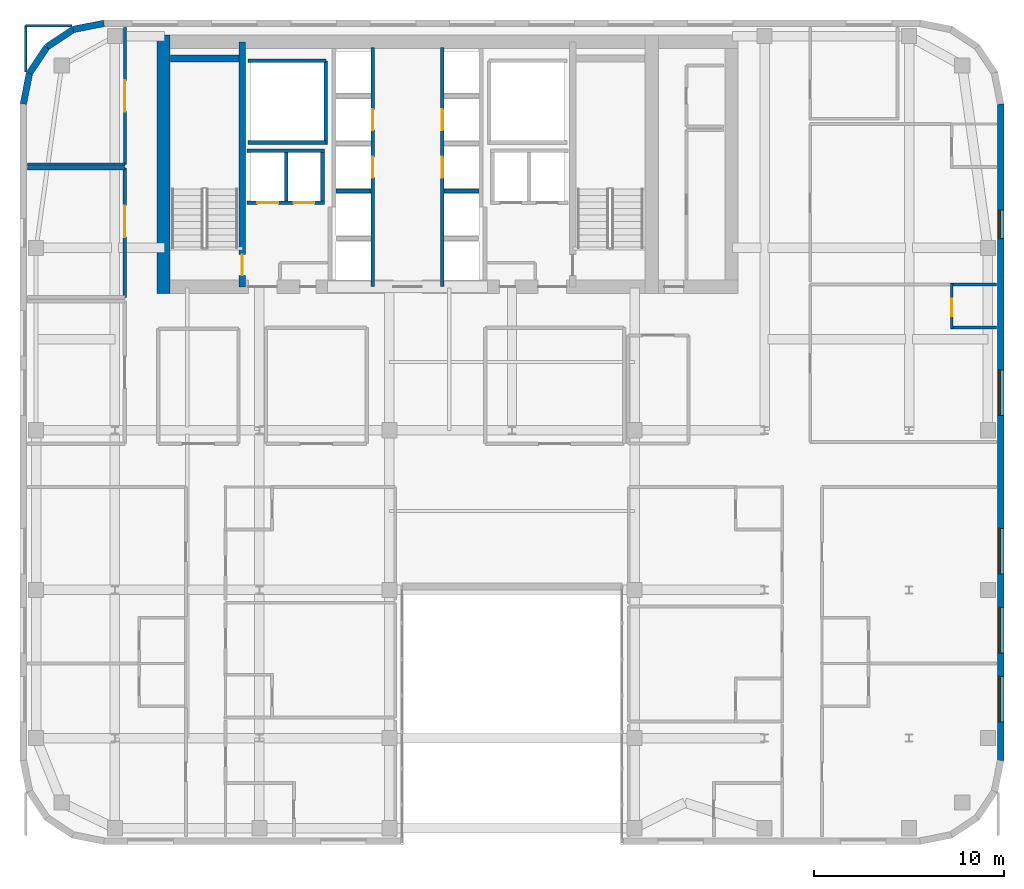
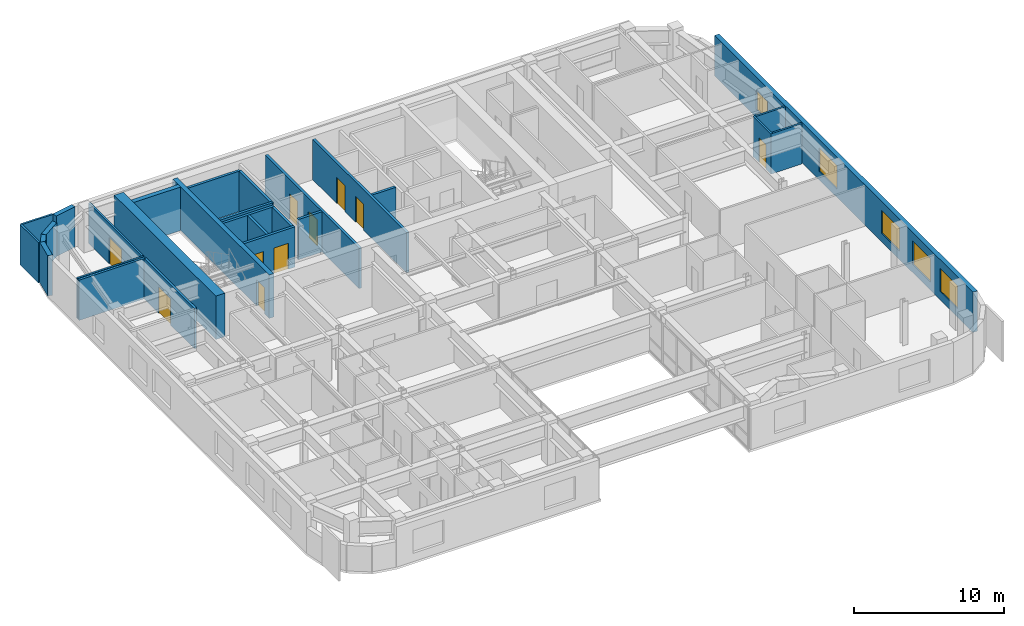
# One storey, part 10 of 13: 28 walls, 10 doors, 5 windows, 15 openings.
"""IFC4 building model written with IfcOpenShell, lengths in metres."""

from ifc_helpers import new_model, si_unit, direction, frame, frame_2d, origin, place, context, subcontext, project, spatial, rectangle, extrude, source, transform, mapped, material, layer, layer_set, type_object, type_shapes, element, fill, save


model = new_model("IFC4")

# Units and contexts
model_context = context("Model", 3, precision=1e-05, world=origin(), true_north=direction((0.0, 1.0)))
body_context = subcontext(model_context, "Body", "Model", "MODEL_VIEW")
ifc_project = project(units=[si_unit("LENGTHUNIT", "METRE"), si_unit("AREAUNIT", "SQUARE_METRE"), si_unit("VOLUMEUNIT", "CUBIC_METRE"), si_unit("PLANEANGLEUNIT", "RADIAN"), si_unit("MASSUNIT", "GRAM", prefix="KILO")], contexts=[model_context])

# Site, building, storey
site_placement = place(None, origin())
site = spatial("IfcSite", under=ifc_project, at=site_placement, CompositionType="ELEMENT")
building_placement = place(site_placement, origin())
building = spatial("IfcBuilding", under=site, at=building_placement, Name="Tolvann Quenvar Hotel", CompositionType="ELEMENT")
storey_placement = place(building_placement, frame((0.0, 0.0, 201.75)))
storey = spatial("IfcBuildingStorey", under=building, at=storey_placement, Name="L53", CompositionType="ELEMENT", Elevation=201.75)

# Wall
ifc_material_1 = material(Name="Concrete S65 (65 MPa)", Category="concrete")
ifc_layer_1 = layer(ifc_material_1, 0.699951171875)
ifc_layer_set_1 = layer_set([ifc_layer_1], Name="Concrete S65 (65 MPa)")
wall_type_1 = type_object("IfcWallType", Name="WALL_CORE_700", PredefinedType="SHEAR", material=ifc_layer_set_1)
wall_1_placement = place(storey_placement, frame((10.14990234375, 31.60009765625, 0.0), z_axis=(0.0, 0.0, 1.0), x_axis=(0.0, 1.0, 0.0)))
element("IfcWall", 1, at=wall_1_placement, inside=storey, type_object=wall_type_1, Name="Rear Core W Shear Wall (L53)", PredefinedType="SHEAR", context=body_context, shape_type="SweptSolid", body=[
    extrude(rectangle(XDim=13.599853515625, YDim=0.699951171875, at=frame_2d((6.7998046875, 0.0))), origin(), (0.0, 0.0, 1.0), 3.550048828125),
])

# Wall, opening, door
ifc_layer_2 = layer(ifc_material_1, 0.35009765625)
ifc_layer_set_2 = layer_set([ifc_layer_2], Name="Concrete S65 (65 MPa)")
wall_type_2 = type_object("IfcWallType", Name="WALL_CORE_INT_350", PredefinedType="SHEAR", material=ifc_layer_set_2)
wall_2_placement = place(storey_placement, frame((14.300048828125, 31.949951171875, 0.0), z_axis=(0.0, 0.0, 1.0), x_axis=(0.0, 1.0, 0.0)))
wall_2 = element("IfcWall", 2, at=wall_2_placement, inside=storey, type_object=wall_type_2, Name="Core Internal Web Shear Wall WEB-W (L53)", PredefinedType="SHEAR", context=body_context, shape_type="SweptSolid", body=[
    extrude(rectangle(XDim=12.900146484375, YDim=0.35009765625, at=frame_2d((6.4501953125, 0.0))), origin(), (0.0, 0.0, 1.0), 3.550048828125),
])
opening_1_placement = place(wall_2_placement, frame((0.60009765625, 0.0, 0.0)))
opening_1 = element("IfcOpeningElement", 3, at=opening_1_placement, cuts=wall_2, Name="Opening FD-120", PredefinedType="OPENING", context=body_context, shape_type="SweptSolid", body=[
    extrude(rectangle(XDim=1.10009765625, YDim=2.1201171875, at=frame_2d((0.550048828125, 1.06005859375))), frame((0.0, 0.18505859375, 0.0), z_axis=(0.0, -1.0, 0.0), x_axis=(1.0, 0.0, 0.0)), (0.0, 0.0, 1.0), 0.3701171875),
])
ifc_material_2 = material(Name="Pressed galvanised steel fire-rated door set", Category="steel")
door_type_1 = type_object("IfcDoorType", Name="DOOR_FIRE_STAIR_1100", OperationType="NOTDEFINED", PredefinedType="DOOR", material=ifc_material_2)
shared_shape_1 = source(origin(), body_context, "Body", "SweptSolid", [
    extrude(rectangle(XDim=1.10009765625, YDim=2.1201171875, at=frame_2d((0.550048828125, 1.06005859375))), frame((0.0, 0.02490234375, 0.0), z_axis=(0.0, -1.0, 0.0), x_axis=(1.0, 0.0, 0.0)), (0.0, 0.0, 1.0), 0.050048828125),
])
type_shapes(door_type_1, [shared_shape_1])
door_1_placement = place(opening_1_placement, origin())
door_1 = element("IfcDoor", 4, at=door_1_placement, inside=storey, type_object=door_type_1, Name="Exit Stair ST-C1 Fire Door (L53)", OperationType="SINGLE_SWING_RIGHT", OverallHeight=2.1201171875, OverallWidth=1.10009765625, PredefinedType="DOOR", context=body_context, shape_type="MappedRepresentation", body=[
    mapped(shared_shape_1, transform((0.0, 0.0, 0.0), x_axis=(1.0, 0.0, 0.0), y_axis=(0.0, 1.0, 0.0), z_axis=(0.0, 0.0, 1.0), scale=1.0)),
])
fill(opening_1, door_1)

# Wall
wall_3_placement = place(storey_placement, frame((10.52001953125, 43.97509765625, 0.0), z_axis=(0.0, 0.0, 1.0), x_axis=(1.0, 0.0, 0.0)))
element("IfcWall", 5, at=wall_3_placement, inside=storey, type_object=wall_type_2, Name="Core Stair North Closing Shear Wall STC1-N (L53)", PredefinedType="SHEAR", context=body_context, shape_type="SweptSolid", body=[
    extrude(rectangle(XDim=3.60009765625, YDim=0.35009765625, at=frame_2d((1.800048828125, 0.0))), origin(), (0.0, 0.0, 1.0), 3.550048828125),
])

# Wall, openings, windows
ifc_material_3 = material(Name="Kiln-fired red and buff architectural clay brickwork and terracotta masonry", Category="masonry")
ifc_layer_3 = layer(ifc_material_3, 0.35009765625)
ifc_layer_set_3 = layer_set([ifc_layer_3], Name="Kiln-fired red and buff architectural clay brickwork and terracotta masonry")
wall_type_3 = type_object("IfcWallType", Name="WALL_EXT_BRICK_350", PredefinedType="SOLIDWALL", material=ifc_layer_set_3)
wall_4_placement = place(storey_placement, frame((54.22509765625, 7.01708984375, 0.0), z_axis=(0.0, 0.0, 1.0), x_axis=(0.0, 1.0, 0.0)))
wall_4 = element("IfcWall", 6, at=wall_4_placement, inside=storey, type_object=wall_type_3, Name="Exterior Chicago Brick Wall L53-E13", PredefinedType="SOLIDWALL", context=body_context, shape_type="SweptSolid", body=[
    extrude(rectangle(XDim=34.565673828125, YDim=0.35009765625, at=frame_2d((17.28271484375, 0.0))), origin(), (0.0, 0.0, 1.0), 3.2900390625),
])
opening_2_placement = place(wall_4_placement, frame((2.034912109375, 0.0, 0.679931640625)))
opening_2 = element("IfcOpeningElement", 7, at=opening_2_placement, cuts=wall_4, Name="Opening W-01", PredefinedType="OPENING", context=body_context, shape_type="SweptSolid", body=[
    extrude(rectangle(XDim=2.39990234375, YDim=1.89990234375, at=frame_2d((1.199951171875, 0.949951171875))), frame((0.0, 0.18505859375, 0.0), z_axis=(0.0, -1.0, 0.0), x_axis=(1.0, 0.0, 0.0)), (0.0, 0.0, 1.0), 0.3701171875),
])
opening_3_placement = place(wall_4_placement, frame((5.656005859375, 0.0, 0.679931640625)))
opening_3 = element("IfcOpeningElement", 8, at=opening_3_placement, cuts=wall_4, Name="Opening W-01", PredefinedType="OPENING", context=body_context, shape_type="SweptSolid", body=[
    extrude(rectangle(XDim=2.39990234375, YDim=1.89990234375, at=frame_2d((1.199951171875, 0.949951171875))), frame((0.0, 0.18505859375, 0.0), z_axis=(0.0, -1.0, 0.0), x_axis=(1.0, 0.0, 0.0)), (0.0, 0.0, 1.0), 0.3701171875),
])
opening_4_placement = place(wall_4_placement, frame((9.826904296875, 0.0, 0.679931640625)))
opening_4 = element("IfcOpeningElement", 9, at=opening_4_placement, cuts=wall_4, Name="Opening W-01", PredefinedType="OPENING", context=body_context, shape_type="SweptSolid", body=[
    extrude(rectangle(XDim=2.39990234375, YDim=1.89990234375, at=frame_2d((1.199951171875, 0.949951171875))), frame((0.0, 0.18505859375, 0.0), z_axis=(0.0, -1.0, 0.0), x_axis=(1.0, 0.0, 0.0)), (0.0, 0.0, 1.0), 0.3701171875),
])
opening_5_placement = place(wall_4_placement, frame((18.16796875, 0.0, 0.679931640625)))
opening_5 = element("IfcOpeningElement", 10, at=opening_5_placement, cuts=wall_4, Name="Opening W-01", PredefinedType="OPENING", context=body_context, shape_type="SweptSolid", body=[
    extrude(rectangle(XDim=2.39990234375, YDim=1.89990234375, at=frame_2d((1.199951171875, 0.949951171875))), frame((0.0, 0.18505859375, 0.0), z_axis=(0.0, -1.0, 0.0), x_axis=(1.0, 0.0, 0.0)), (0.0, 0.0, 1.0), 0.3701171875),
])
opening_6_placement = place(wall_4_placement, frame((27.472900390625, 0.0, 0.6201171875)))
opening_6 = element("IfcOpeningElement", 11, at=opening_6_placement, cuts=wall_4, Name="Opening W-08", PredefinedType="OPENING", context=body_context, shape_type="SweptSolid", body=[
    extrude(rectangle(XDim=1.5, YDim=1.550048828125, at=frame_2d((0.75, 0.77490234375))), frame((0.0, 0.18505859375, 0.0), z_axis=(0.0, -1.0, 0.0), x_axis=(1.0, 0.0, 0.0)), (0.0, 0.0, 1.0), 0.3701171875),
])
ifc_material_4 = material(Name="Thermally broken bronze-anodised aluminium frame with double low-E glazing", Category="aluminium")
window_type_1 = type_object("IfcWindowType", Name="WIN_COR_1500x2050", PartitioningType="SINGLE_PANEL", PredefinedType="WINDOW", material=ifc_material_4)
shared_shape_2 = source(origin(), body_context, "Body", "SweptSolid", [
    extrude(rectangle(XDim=1.5, YDim=1.550048828125, at=frame_2d((0.75, 0.77490234375))), frame((0.0, 0.090087890625, 0.0), z_axis=(0.0, -1.0, 0.0), x_axis=(1.0, 0.0, 0.0)), (0.0, 0.0, 1.0), 0.06005859375),
])
type_shapes(window_type_1, [shared_shape_2])
window_1_placement = place(opening_6_placement, origin())
window_1 = element("IfcWindow", 12, at=window_1_placement, inside=storey, type_object=window_type_1, Name="Chicago Window W-08 (EW-L53-E13-WD05)", OverallHeight=1.550048828125, OverallWidth=1.5, PartitioningType="SINGLE_PANEL", PredefinedType="WINDOW", context=body_context, shape_type="MappedRepresentation", body=[
    mapped(shared_shape_2, transform((0.0, 0.0, 0.0), x_axis=(1.0, 0.0, 0.0), y_axis=(0.0, 1.0, 0.0), z_axis=(0.0, 0.0, 1.0), scale=1.0)),
])
fill(opening_6, window_1)
window_type_2 = type_object("IfcWindowType", Name="WIN_CHI_2400x2050", PartitioningType="TRIPLE_PANEL_HORIZONTAL", PredefinedType="WINDOW", material=ifc_material_4)
shared_shape_3 = source(origin(), body_context, "Body", "SweptSolid", [
    extrude(rectangle(XDim=2.39990234375, YDim=1.89990234375, at=frame_2d((1.199951171875, 0.949951171875))), frame((0.0, 0.090087890625, 0.0), z_axis=(0.0, -1.0, 0.0), x_axis=(1.0, 0.0, 0.0)), (0.0, 0.0, 1.0), 0.06005859375),
])
type_shapes(window_type_2, [shared_shape_3])
window_2_placement = place(opening_2_placement, origin())
window_2 = element("IfcWindow", 13, at=window_2_placement, inside=storey, type_object=window_type_2, Name="Chicago Window W-01 (EW-L53-E13-W01)", OverallHeight=1.89990234375, OverallWidth=2.39990234375, PartitioningType="TRIPLE_PANEL_HORIZONTAL", PredefinedType="WINDOW", context=body_context, shape_type="MappedRepresentation", body=[
    mapped(shared_shape_3, transform((0.0, 0.0, 0.0), x_axis=(1.0, 0.0, 0.0), y_axis=(0.0, 1.0, 0.0), z_axis=(0.0, 0.0, 1.0), scale=1.0)),
])
fill(opening_2, window_2)
window_3_placement = place(opening_3_placement, origin())
window_3 = element("IfcWindow", 14, at=window_3_placement, inside=storey, type_object=window_type_2, Name="Chicago Window W-01 (EW-L53-E13-W02)", OverallHeight=1.89990234375, OverallWidth=2.39990234375, PartitioningType="TRIPLE_PANEL_HORIZONTAL", PredefinedType="WINDOW", context=body_context, shape_type="MappedRepresentation", body=[
    mapped(shared_shape_3, transform((0.0, 0.0, 0.0), x_axis=(1.0, 0.0, 0.0), y_axis=(0.0, 1.0, 0.0), z_axis=(0.0, 0.0, 1.0), scale=1.0)),
])
fill(opening_3, window_3)
window_4_placement = place(opening_4_placement, origin())
window_4 = element("IfcWindow", 15, at=window_4_placement, inside=storey, type_object=window_type_2, Name="Chicago Window W-01 (EW-L53-E13-W03)", OverallHeight=1.89990234375, OverallWidth=2.39990234375, PartitioningType="TRIPLE_PANEL_HORIZONTAL", PredefinedType="WINDOW", context=body_context, shape_type="MappedRepresentation", body=[
    mapped(shared_shape_3, transform((0.0, 0.0, 0.0), x_axis=(1.0, 0.0, 0.0), y_axis=(0.0, 1.0, 0.0), z_axis=(0.0, 0.0, 1.0), scale=1.0)),
])
fill(opening_4, window_4)
window_5_placement = place(opening_5_placement, origin())
window_5 = element("IfcWindow", 16, at=window_5_placement, inside=storey, type_object=window_type_2, Name="Chicago Window W-01 (EW-L53-E13-W04)", OverallHeight=1.89990234375, OverallWidth=2.39990234375, PartitioningType="TRIPLE_PANEL_HORIZONTAL", PredefinedType="WINDOW", context=body_context, shape_type="MappedRepresentation", body=[
    mapped(shared_shape_3, transform((0.0, 0.0, 0.0), x_axis=(1.0, 0.0, 0.0), y_axis=(0.0, 1.0, 0.0), z_axis=(0.0, 0.0, 1.0), scale=1.0)),
])
fill(opening_5, window_5)

# Walls
wall_5_placement = place(storey_placement, frame((7.01708984375, 45.824951171875, 0.0), z_axis=(0.0, 0.0, 1.0), x_axis=(-0.980788844421, -0.195072403631, 0.0)))
element("IfcWall", 17, at=wall_5_placement, inside=storey, type_object=wall_type_3, Name="Exterior Chicago Brick Wall L53-E19", PredefinedType="SOLIDWALL", context=body_context, shape_type="SweptSolid", body=[
    extrude(rectangle(XDim=1.66455078125, YDim=0.35009765625, at=frame_2d((0.832275390625, 0.0))), origin(), (0.0, 0.0, 1.0), 3.2900390625),
])
for number, where, z_axis, x_axis, name in (
    (18, (5.384521484375, 45.500244140625, 0.0), (0.0, 0.0, 1.0), (-0.831502623162, -0.555520825599, 0.0), "Exterior Chicago Brick Wall L53-E20"),
    (19, (4.014892578125, 44.585205078125, 0.0), (0.0, 0.0, 1.0), (-0.555623290322, -0.831434158098, 0.0), "Exterior Chicago Brick Wall L53-E21"),
):
    element("IfcWall", number, at=place(storey_placement, frame(where, z_axis=z_axis, x_axis=x_axis)), inside=storey, type_object=wall_type_3, Name=name, PredefinedType="SOLIDWALL", context=body_context, shape_type="SweptSolid", body=[
        extrude(rectangle(XDim=1.647216796875, YDim=0.35009765625, at=frame_2d((0.82373046875, 0.0))), origin(), (0.0, 0.0, 1.0), 2.751953125),
    ])
wall_6_placement = place(storey_placement, frame((3.099609375, 43.215576171875, 0.0), z_axis=(0.0, 0.0, 1.0), x_axis=(-0.195044345786, -0.980794424524, 0.0)))
element("IfcWall", 20, at=wall_6_placement, inside=storey, type_object=wall_type_3, Name="Exterior Chicago Brick Wall L53-E22", PredefinedType="SOLIDWALL", context=body_context, shape_type="SweptSolid", body=[
    extrude(rectangle(XDim=1.664794921875, YDim=0.35009765625, at=frame_2d((0.83251953125, 0.0))), origin(), (0.0, 0.0, 1.0), 3.2900390625),
])
ifc_material_5 = material(Name="Acoustic twin-stud fire-rated gypsum plasterboard partition")
ifc_layer_4 = layer(ifc_material_5, 0.179931640625)
ifc_layer_set_4 = layer_set([ifc_layer_4], Name="Acoustic twin-stud fire-rated gypsum plasterboard partition")
wall_type_4 = type_object("IfcWallType", Name="WALL_PART_ACOUSTIC_180", PredefinedType="PARTITIONING", material=ifc_layer_set_4)
wall_7_placement = place(storey_placement, frame((3.0048828125, 38.199951171875, 0.0), z_axis=(0.0, 0.0, 1.0), x_axis=(1.0, 0.0, 0.0)))
element("IfcWall", 21, at=wall_7_placement, inside=storey, type_object=wall_type_4, Name="Interior Partition PT-SPC-L53-MTG-N", PredefinedType="PARTITIONING", context=body_context, shape_type="SweptSolid", body=[
    extrude(rectangle(XDim=5.115234375, YDim=0.179931640625, at=frame_2d((2.5576171875, 0.0))), origin(), (0.0, 0.0, 1.0), 3.2900390625),
])

# Wall, opening, door
wall_8_placement = place(storey_placement, frame((8.1201171875, 31.39990234375, 0.0), z_axis=(0.0, 0.0, 1.0), x_axis=(0.0, 1.0, 0.0)))
wall_8 = element("IfcWall", 22, at=wall_8_placement, inside=storey, type_object=wall_type_4, Name="Interior Partition PT-SPC-L53-MTG-E", PredefinedType="PARTITIONING", context=body_context, shape_type="SweptSolid", body=[
    extrude(rectangle(XDim=6.800048828125, YDim=0.179931640625, at=frame_2d((3.39990234375, 0.0))), origin(), (0.0, 0.0, 1.0), 3.2900390625),
])
opening_7_placement = place(wall_8_placement, frame((3.175048828125, 0.0, 0.0)))
opening_7 = element("IfcOpeningElement", 23, at=opening_7_placement, cuts=wall_8, Name="Opening AD-01", PredefinedType="OPENING", context=body_context, shape_type="SweptSolid", body=[
    extrude(rectangle(XDim=1.64990234375, YDim=2.14990234375, at=frame_2d((0.824951171875, 1.074951171875))), frame((0.0, 0.10009765625, 0.0), z_axis=(0.0, -1.0, 0.0), x_axis=(1.0, 0.0, 0.0)), (0.0, 0.0, 1.0), 0.199951171875),
])
ifc_material_6 = material(Name="Solid-core American oak acoustic fire door leaf in steel frame", Category="steel")
door_type_2 = type_object("IfcDoorType", Name="DOOR_SALON_1650", OperationType="NOTDEFINED", PredefinedType="DOOR", material=ifc_material_6)
shared_shape_4 = source(origin(), body_context, "Body", "SweptSolid", [
    extrude(rectangle(XDim=1.64990234375, YDim=2.14990234375, at=frame_2d((0.824951171875, 1.074951171875))), frame((0.0, 0.02490234375, 0.0), z_axis=(0.0, -1.0, 0.0), x_axis=(1.0, 0.0, 0.0)), (0.0, 0.0, 1.0), 0.050048828125),
])
type_shapes(door_type_2, [shared_shape_4])
door_2_placement = place(opening_7_placement, origin())
door_2 = element("IfcDoor", 24, at=door_2_placement, inside=storey, type_object=door_type_2, Name="Interior Door DOOR-SPC-L53-MTG", OperationType="DOUBLE_DOOR_SINGLE_SWING", OverallHeight=2.14990234375, OverallWidth=1.64990234375, PredefinedType="DOOR", context=body_context, shape_type="MappedRepresentation", body=[
    mapped(shared_shape_4, transform((0.0, 0.0, 0.0), x_axis=(1.0, 0.0, 0.0), y_axis=(0.0, 1.0, 0.0), z_axis=(0.0, 0.0, 1.0), scale=1.0)),
])
fill(opening_7, door_2)

ifc_layer_5 = layer(ifc_material_5, 0.14990234375)
ifc_layer_set_5 = layer_set([ifc_layer_5], Name="Acoustic twin-stud fire-rated gypsum plasterboard partition")
wall_type_5 = type_object("IfcWallType", Name="WALL_PART_SUITE_150", PredefinedType="PARTITIONING", material=ifc_layer_set_5)
wall_9_placement = place(storey_placement, frame((51.64990234375, 29.75, 0.0), z_axis=(0.0, 0.0, 1.0), x_axis=(0.0, 1.0, 0.0)))
wall_9 = element("IfcWall", 25, at=wall_9_placement, inside=storey, type_object=wall_type_5, Name="Interior Partition PT-SPC-L53-ENS-NE01-ENT", PredefinedType="PARTITIONING", context=body_context, shape_type="SweptSolid", body=[
    extrude(rectangle(XDim=2.389892578125, YDim=0.14990234375, at=frame_2d((1.19482421875, 0.0))), origin(), (0.0, 0.0, 1.0), 3.2900390625),
])
opening_8_placement = place(wall_9_placement, frame((0.6650390625, 0.0, 0.0)))
opening_8 = element("IfcOpeningElement", 26, at=opening_8_placement, cuts=wall_9, Name="Opening WD-01", PredefinedType="OPENING", context=body_context, shape_type="SweptSolid", body=[
    extrude(rectangle(XDim=0.919921875, YDim=2.010009765625, at=frame_2d((0.4599609375, 1.0048828125))), frame((0.0, 0.0849609375, 0.0), z_axis=(0.0, -1.0, 0.0), x_axis=(1.0, 0.0, 0.0)), (0.0, 0.0, 1.0), 0.169921875),
])
door_type_3 = type_object("IfcDoorType", Name="DOOR_WC_920", OperationType="NOTDEFINED", PredefinedType="DOOR", material=ifc_material_6)
shared_shape_5 = source(origin(), body_context, "Body", "SweptSolid", [
    extrude(rectangle(XDim=0.919921875, YDim=2.010009765625, at=frame_2d((0.4599609375, 1.0048828125))), frame((0.0, 0.02490234375, 0.0), z_axis=(0.0, -1.0, 0.0), x_axis=(1.0, 0.0, 0.0)), (0.0, 0.0, 1.0), 0.050048828125),
])
type_shapes(door_type_3, [shared_shape_5])
door_3_placement = place(opening_8_placement, origin())
door_3 = element("IfcDoor", 27, at=door_3_placement, inside=storey, type_object=door_type_3, Name="Interior Door DOOR-SPC-L53-ENS-NE01", OperationType="SINGLE_SWING_LEFT", OverallHeight=2.010009765625, OverallWidth=0.919921875, PredefinedType="DOOR", context=body_context, shape_type="MappedRepresentation", body=[
    mapped(shared_shape_5, transform((0.0, 0.0, 0.0), x_axis=(1.0, 0.0, 0.0), y_axis=(0.0, 1.0, 0.0), z_axis=(0.0, 0.0, 1.0), scale=1.0)),
])
fill(opening_8, door_3)

# Walls
for number, where, z_axis, x_axis, name in (
    (28, (51.580078125, 29.820068359375, 0.0), (0.0, 0.0, 1.0), (1.0, 0.0, 0.0), "Interior Partition PT-SPC-L53-ENS-NE01-S"),
    (29, (51.580078125, 32.070068359375, 0.0), (0.0, 0.0, 1.0), (1.0, 0.0, 0.0), "Interior Partition PT-SPC-L53-ENS-NE01-N"),
):
    element("IfcWall", number, at=place(storey_placement, frame(where, z_axis=z_axis, x_axis=x_axis)), inside=storey, type_object=wall_type_5, Name=name, PredefinedType="PARTITIONING", context=body_context, shape_type="SweptSolid", body=[
        extrude(rectangle(XDim=2.4150390625, YDim=0.14990234375, at=frame_2d((1.20751953125, 0.0))), origin(), (0.0, 0.0, 1.0), 3.2900390625),
    ])
wall_10_placement = place(storey_placement, frame((3.0048828125, 38.39990234375, 0.0), z_axis=(0.0, 0.0, 1.0), x_axis=(1.0, 0.0, 0.0)))
element("IfcWall", 30, at=wall_10_placement, inside=storey, type_object=wall_type_5, Name="Interior Partition PT-SPC-L53-TEA-S", PredefinedType="PARTITIONING", context=body_context, shape_type="SweptSolid", body=[
    extrude(rectangle(XDim=5.115234375, YDim=0.14990234375, at=frame_2d((2.5576171875, 0.0))), origin(), (0.0, 0.0, 1.0), 3.2900390625),
])
for number, where, z_axis, x_axis, name in (
    (31, (2.89990234375, 45.699951171875, 0.0), (0.0, 0.0, 1.0), (1.0, 0.0, 0.0), "Interior Partition PT-SPC-L53-TEA-N"),
    (32, (2.89990234375, 43.2548828125, 0.0), (0.0, 0.0, 1.0), (0.0, 1.0, 0.0), "Interior Partition PT-SPC-L53-TEA-W"),
):
    element("IfcWall", number, at=place(storey_placement, frame(where, z_axis=z_axis, x_axis=x_axis)), inside=storey, type_object=wall_type_5, Name=name, PredefinedType="PARTITIONING", context=body_context, shape_type="SweptSolid", body=[
        extrude(rectangle(XDim=2.445068359375, YDim=0.14990234375, at=frame_2d((1.22265625, 0.0))), origin(), (0.0, 0.0, 1.0), 3.2900390625),
    ])

# Wall, opening, door
wall_11_placement = place(storey_placement, frame((8.1201171875, 38.39990234375, 0.0), z_axis=(0.0, 0.0, 1.0), x_axis=(0.0, 1.0, 0.0)))
wall_11 = element("IfcWall", 33, at=wall_11_placement, inside=storey, type_object=wall_type_5, Name="Interior Partition PT-SPC-L53-TEA-E", PredefinedType="PARTITIONING", context=body_context, shape_type="SweptSolid", body=[
    extrude(rectangle(XDim=7.195068359375, YDim=0.14990234375, at=frame_2d((3.59765625, 0.0))), origin(), (0.0, 0.0, 1.0), 3.2900390625),
])
opening_9_placement = place(wall_11_placement, frame((2.7724609375, 0.0, 0.0)))
opening_9 = element("IfcOpeningElement", 34, at=opening_9_placement, cuts=wall_11, Name="Opening AD-01", PredefinedType="OPENING", context=body_context, shape_type="SweptSolid", body=[
    extrude(rectangle(XDim=1.64990234375, YDim=2.14990234375, at=frame_2d((0.824951171875, 1.074951171875))), frame((0.0, 0.0849609375, 0.0), z_axis=(0.0, -1.0, 0.0), x_axis=(1.0, 0.0, 0.0)), (0.0, 0.0, 1.0), 0.169921875),
])
door_4_placement = place(opening_9_placement, origin())
door_4 = element("IfcDoor", 35, at=door_4_placement, inside=storey, type_object=door_type_2, Name="Interior Door DOOR-SPC-L53-TEA", OperationType="DOUBLE_DOOR_SINGLE_SWING", OverallHeight=2.14990234375, OverallWidth=1.64990234375, PredefinedType="DOOR", context=body_context, shape_type="MappedRepresentation", body=[
    mapped(shared_shape_4, transform((0.0, 0.0, 0.0), x_axis=(1.0, 0.0, 0.0), y_axis=(0.0, 1.0, 0.0), z_axis=(0.0, 0.0, 1.0), scale=1.0)),
])
fill(opening_9, door_4)

# Walls
ifc_material_7 = material(Name="Concrete N40 (40 MPa)", Category="concrete")
ifc_layer_6 = layer(ifc_material_7, 0.199951171875)
ifc_layer_set_6 = layer_set([ifc_layer_6], Name="Concrete N40 (40 MPa)")
wall_type_6 = type_object("IfcWallType", Name="WALL_SHAFT_200", PredefinedType="SOLIDWALL", material=ifc_layer_set_6)
wall_12_placement = place(storey_placement, frame((18.699951171875, 39.449951171875, 0.0), z_axis=(0.0, 0.0, 1.0), x_axis=(0.0, 1.0, 0.0)))
element("IfcWall", 36, at=wall_12_placement, inside=storey, type_object=wall_type_6, Name="Service Riser W Shaft Wall IN (L53)", PredefinedType="SOLIDWALL", context=body_context, shape_type="SweptSolid", body=[
    extrude(rectangle(XDim=4.400146484375, YDim=0.199951171875, at=frame_2d((2.2001953125, 0.0))), origin(), (0.0, 0.0, 1.0), 3.2900390625),
])
for number, where, z_axis, x_axis, name in (
    (37, (14.60009765625, 39.550048828125, 0.0), (0.0, 0.0, 1.0), (1.0, 0.0, 0.0), "Service Riser W Shaft Wall S (L53)"),
    (38, (14.60009765625, 43.85009765625, 0.0), (0.0, 0.0, 1.0), (1.0, 0.0, 0.0), "Service Riser W Shaft Wall N (L53)"),
):
    element("IfcWall", number, at=place(storey_placement, frame(where, z_axis=z_axis, x_axis=x_axis)), inside=storey, type_object=wall_type_6, Name=name, PredefinedType="SOLIDWALL", context=body_context, shape_type="SweptSolid", body=[
        extrude(rectangle(XDim=4.099853515625, YDim=0.199951171875, at=frame_2d((2.0498046875, 0.0))), origin(), (0.0, 0.0, 1.0), 3.2900390625),
    ])

# Wall, openings, doors
wall_13_placement = place(storey_placement, frame((21.169921875, 31.9599609375, 0.0), z_axis=(0.0, 0.0, 1.0), x_axis=(0.0, 1.0, 0.0)))
wall_13 = element("IfcWall", 39, at=wall_13_placement, inside=storey, type_object=wall_type_6, Name="Lift Bank E21.1C1 Hoistway Front Wall (L53)", PredefinedType="SOLIDWALL", context=body_context, shape_type="SweptSolid", body=[
    extrude(rectangle(XDim=12.580078125, YDim=0.199951171875, at=frame_2d((6.2900390625, 0.0))), origin(), (0.0, 0.0, 1.0), 3.2900390625),
])
opening_10_placement = place(wall_13_placement, frame((5.739990234375, 0.0, 0.0)))
opening_10 = element("IfcOpeningElement", 40, at=opening_10_placement, cuts=wall_13, Name="Opening LD-01", PredefinedType="OPENING", context=body_context, shape_type="SweptSolid", body=[
    extrude(rectangle(XDim=1.10009765625, YDim=2.1201171875, at=frame_2d((0.550048828125, 1.06005859375))), frame((0.0, 0.10986328125, 0.0), z_axis=(0.0, -1.0, 0.0), x_axis=(1.0, 0.0, 0.0)), (0.0, 0.0, 1.0), 0.219970703125),
])
opening_11_placement = place(wall_13_placement, frame((8.239990234375, 0.0, 0.0)))
opening_11 = element("IfcOpeningElement", 41, at=opening_11_placement, cuts=wall_13, Name="Opening LD-01", PredefinedType="OPENING", context=body_context, shape_type="SweptSolid", body=[
    extrude(rectangle(XDim=1.10009765625, YDim=2.1201171875, at=frame_2d((0.550048828125, 1.06005859375))), frame((0.0, 0.10986328125, 0.0), z_axis=(0.0, -1.0, 0.0), x_axis=(1.0, 0.0, 0.0)), (0.0, 0.0, 1.0), 0.219970703125),
])
ifc_material_8 = material(Name="Brushed 316 stainless steel automatic sliding lift landing door", Category="steel")
door_type_4 = type_object("IfcDoorType", Name="DOOR_LIFT_SLIDE_1100", OperationType="NOTDEFINED", PredefinedType="DOOR", material=ifc_material_8)
shared_shape_6 = source(origin(), body_context, "Body", "SweptSolid", [
    extrude(rectangle(XDim=1.10009765625, YDim=2.1201171875, at=frame_2d((0.550048828125, 1.06005859375))), frame((0.0, 0.02490234375, 0.0), z_axis=(0.0, -1.0, 0.0), x_axis=(1.0, 0.0, 0.0)), (0.0, 0.0, 1.0), 0.050048828125),
])
type_shapes(door_type_4, [shared_shape_6])
door_5_placement = place(opening_10_placement, origin())
door_5 = element("IfcDoor", 42, at=door_5_placement, inside=storey, type_object=door_type_4, Name="Lift PM-1 Sliding Landing Door (L53)", OperationType="SLIDING_TO_RIGHT", OverallHeight=2.1201171875, OverallWidth=1.10009765625, PredefinedType="DOOR", context=body_context, shape_type="MappedRepresentation", body=[
    mapped(shared_shape_6, transform((0.0, 0.0, 0.0), x_axis=(1.0, 0.0, 0.0), y_axis=(0.0, 1.0, 0.0), z_axis=(0.0, 0.0, 1.0), scale=1.0)),
])
fill(opening_10, door_5)
door_6_placement = place(opening_11_placement, origin())
door_6 = element("IfcDoor", 43, at=door_6_placement, inside=storey, type_object=door_type_4, Name="Lift PM-2 Sliding Landing Door (L53)", OperationType="SLIDING_TO_LEFT", OverallHeight=2.1201171875, OverallWidth=1.10009765625, PredefinedType="DOOR", context=body_context, shape_type="MappedRepresentation", body=[
    mapped(shared_shape_6, transform((0.0, 0.0, 0.0), x_axis=(1.0, 0.0, 0.0), y_axis=(0.0, 1.0, 0.0), z_axis=(0.0, 0.0, 1.0), scale=1.0)),
])
fill(opening_11, door_6)

# Wall
wall_14_placement = place(storey_placement, frame((19.22998046875, 37.0, 0.0), z_axis=(0.0, 0.0, 1.0), x_axis=(1.0, 0.0, 0.0)))
element("IfcWall", 44, at=wall_14_placement, inside=storey, type_object=wall_type_6, Name="Lift Bank E21.1C1 Divider Wall 2 (L53)", PredefinedType="SOLIDWALL", context=body_context, shape_type="SweptSolid", body=[
    extrude(rectangle(XDim=1.840087890625, YDim=0.199951171875, at=frame_2d((0.919921875, 0.0))), origin(), (0.0, 0.0, 1.0), 3.2900390625),
])

# Wall, openings, doors
wall_15_placement = place(storey_placement, frame((14.550048828125, 36.3798828125, 0.0), z_axis=(0.0, 0.0, 1.0), x_axis=(1.0, 0.0, 0.0)))
wall_15 = element("IfcWall", 45, at=wall_15_placement, inside=storey, type_object=wall_type_6, Name="Lift Bank SWC1 Hoistway Front Wall (L53)", PredefinedType="SOLIDWALL", context=body_context, shape_type="SweptSolid", body=[
    extrude(rectangle(XDim=4.074951171875, YDim=0.199951171875, at=frame_2d((2.03759765625, 0.0))), origin(), (0.0, 0.0, 1.0), 3.2900390625),
])
opening_12_placement = place(wall_15_placement, frame((0.550048828125, 0.0, 0.0)))
opening_12 = element("IfcOpeningElement", 46, at=opening_12_placement, cuts=wall_15, Name="Opening LD-01", PredefinedType="OPENING", context=body_context, shape_type="SweptSolid", body=[
    extrude(rectangle(XDim=1.10009765625, YDim=2.1201171875, at=frame_2d((0.550048828125, 1.06005859375))), frame((0.0, 0.10986328125, 0.0), z_axis=(0.0, -1.0, 0.0), x_axis=(1.0, 0.0, 0.0)), (0.0, 0.0, 1.0), 0.219970703125),
])
opening_13_placement = place(wall_15_placement, frame((2.449951171875, 0.0, 0.0)))
opening_13 = element("IfcOpeningElement", 47, at=opening_13_placement, cuts=wall_15, Name="Opening LD-01", PredefinedType="OPENING", context=body_context, shape_type="SweptSolid", body=[
    extrude(rectangle(XDim=1.10009765625, YDim=2.1201171875, at=frame_2d((0.550048828125, 1.06005859375))), frame((0.0, 0.10986328125, 0.0), z_axis=(0.0, -1.0, 0.0), x_axis=(1.0, 0.0, 0.0)), (0.0, 0.0, 1.0), 0.219970703125),
])
door_7_placement = place(opening_12_placement, origin())
door_7 = element("IfcDoor", 48, at=door_7_placement, inside=storey, type_object=door_type_4, Name="Lift FF-1 Sliding Landing Door (L53)", OperationType="SLIDING_TO_LEFT", OverallHeight=2.1201171875, OverallWidth=1.10009765625, PredefinedType="DOOR", context=body_context, shape_type="MappedRepresentation", body=[
    mapped(shared_shape_6, transform((0.0, 0.0, 0.0), x_axis=(1.0, 0.0, 0.0), y_axis=(0.0, 1.0, 0.0), z_axis=(0.0, 0.0, 1.0), scale=1.0)),
])
fill(opening_12, door_7)
door_8_placement = place(opening_13_placement, origin())
door_8 = element("IfcDoor", 49, at=door_8_placement, inside=storey, type_object=door_type_4, Name="Lift SV-1 Sliding Landing Door (L53)", OperationType="SLIDING_TO_RIGHT", OverallHeight=2.1201171875, OverallWidth=1.10009765625, PredefinedType="DOOR", context=body_context, shape_type="MappedRepresentation", body=[
    mapped(shared_shape_6, transform((0.0, 0.0, 0.0), x_axis=(1.0, 0.0, 0.0), y_axis=(0.0, 1.0, 0.0), z_axis=(0.0, 0.0, 1.0), scale=1.0)),
])
fill(opening_13, door_8)

# Walls
wall_16_placement = place(storey_placement, frame((14.550048828125, 39.1201171875, 0.0), z_axis=(0.0, 0.0, 1.0), x_axis=(1.0, 0.0, 0.0)))
element("IfcWall", 50, at=wall_16_placement, inside=storey, type_object=wall_type_6, Name="Lift Bank SWC1 Hoistway Rear Wall (L53)", PredefinedType="SOLIDWALL", context=body_context, shape_type="SweptSolid", body=[
    extrude(rectangle(XDim=4.074951171875, YDim=0.199951171875, at=frame_2d((2.03759765625, 0.0))), origin(), (0.0, 0.0, 1.0), 3.2900390625),
])
for number, where, z_axis, x_axis, name in (
    (51, (18.52490234375, 36.47998046875, 0.0), (0.0, 0.0, 1.0), (0.0, 1.0, 0.0), "Lift Bank SWC1 Hoistway Cheek Wall 2 (L53)"),
    (52, (16.612548828125, 36.47998046875, 0.0), (0.0, 0.0, 1.0), (0.0, 1.0, 0.0), "Lift Bank SWC1 Divider Wall 1 (L53)"),
):
    element("IfcWall", number, at=place(storey_placement, frame(where, z_axis=z_axis, x_axis=x_axis)), inside=storey, type_object=wall_type_6, Name=name, PredefinedType="SOLIDWALL", context=body_context, shape_type="SweptSolid", body=[
        extrude(rectangle(XDim=2.5400390625, YDim=0.199951171875, at=frame_2d((1.27001953125, 0.0))), origin(), (0.0, 0.0, 1.0), 3.2900390625),
    ])

# Wall, openings, doors
wall_17_placement = place(storey_placement, frame((24.830078125, 31.9599609375, 0.0), z_axis=(0.0, 0.0, 1.0), x_axis=(0.0, 1.0, 0.0)))
wall_17 = element("IfcWall", 53, at=wall_17_placement, inside=storey, type_object=wall_type_6, Name="Lift Bank W24.9C1 Hoistway Front Wall (L53)", PredefinedType="SOLIDWALL", context=body_context, shape_type="SweptSolid", body=[
    extrude(rectangle(XDim=12.580078125, YDim=0.199951171875, at=frame_2d((6.2900390625, 0.0))), origin(), (0.0, 0.0, 1.0), 3.2900390625),
])
opening_14_placement = place(wall_17_placement, frame((5.739990234375, 0.0, 0.0)))
opening_14 = element("IfcOpeningElement", 54, at=opening_14_placement, cuts=wall_17, Name="Opening LD-01", PredefinedType="OPENING", context=body_context, shape_type="SweptSolid", body=[
    extrude(rectangle(XDim=1.10009765625, YDim=2.1201171875, at=frame_2d((0.550048828125, 1.06005859375))), frame((0.0, 0.10986328125, 0.0), z_axis=(0.0, -1.0, 0.0), x_axis=(1.0, 0.0, 0.0)), (0.0, 0.0, 1.0), 0.219970703125),
])
opening_15_placement = place(wall_17_placement, frame((8.239990234375, 0.0, 0.0)))
opening_15 = element("IfcOpeningElement", 55, at=opening_15_placement, cuts=wall_17, Name="Opening LD-01", PredefinedType="OPENING", context=body_context, shape_type="SweptSolid", body=[
    extrude(rectangle(XDim=1.10009765625, YDim=2.1201171875, at=frame_2d((0.550048828125, 1.06005859375))), frame((0.0, 0.10986328125, 0.0), z_axis=(0.0, -1.0, 0.0), x_axis=(1.0, 0.0, 0.0)), (0.0, 0.0, 1.0), 0.219970703125),
])
door_9_placement = place(opening_14_placement, origin())
door_9 = element("IfcDoor", 56, at=door_9_placement, inside=storey, type_object=door_type_4, Name="Lift PM-3 Sliding Landing Door (L53)", OperationType="SLIDING_TO_RIGHT", OverallHeight=2.1201171875, OverallWidth=1.10009765625, PredefinedType="DOOR", context=body_context, shape_type="MappedRepresentation", body=[
    mapped(shared_shape_6, transform((0.0, 0.0, 0.0), x_axis=(1.0, 0.0, 0.0), y_axis=(0.0, 1.0, 0.0), z_axis=(0.0, 0.0, 1.0), scale=1.0)),
])
fill(opening_14, door_9)
door_10_placement = place(opening_15_placement, origin())
door_10 = element("IfcDoor", 57, at=door_10_placement, inside=storey, type_object=door_type_4, Name="Lift PM-4 Sliding Landing Door (L53)", OperationType="SLIDING_TO_LEFT", OverallHeight=2.1201171875, OverallWidth=1.10009765625, PredefinedType="DOOR", context=body_context, shape_type="MappedRepresentation", body=[
    mapped(shared_shape_6, transform((0.0, 0.0, 0.0), x_axis=(1.0, 0.0, 0.0), y_axis=(0.0, 1.0, 0.0), z_axis=(0.0, 0.0, 1.0), scale=1.0)),
])
fill(opening_15, door_10)

# Wall
wall_18_placement = place(storey_placement, frame((24.929931640625, 37.0, 0.0), z_axis=(0.0, 0.0, 1.0), x_axis=(1.0, 0.0, 0.0)))
element("IfcWall", 58, at=wall_18_placement, inside=storey, type_object=wall_type_6, Name="Lift Bank W24.9C1 Divider Wall 2 (L53)", PredefinedType="SOLIDWALL", context=body_context, shape_type="SweptSolid", body=[
    extrude(rectangle(XDim=1.840087890625, YDim=0.199951171875, at=frame_2d((0.919921875, 0.0))), origin(), (0.0, 0.0, 1.0), 3.2900390625),
])

save(model, "model.ifc")
